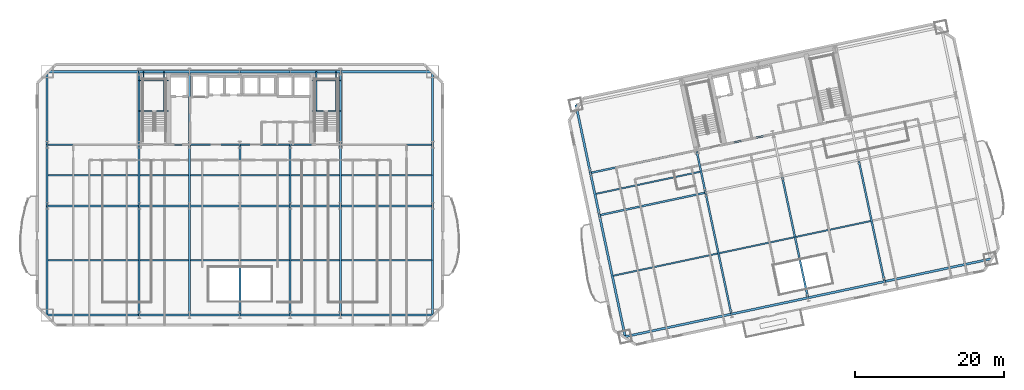
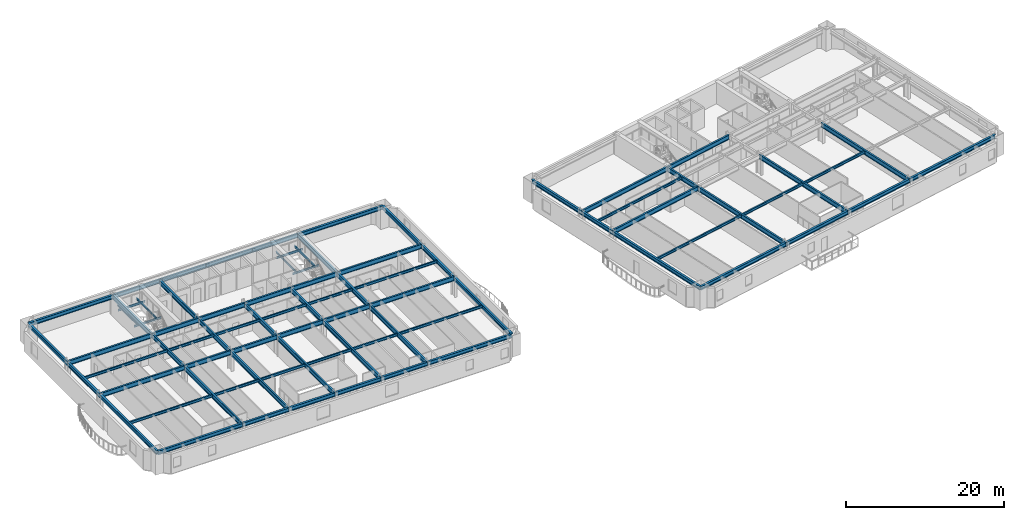
# One storey, part 3 of 17: 81 beams.
"""IFC4 building model written with IfcOpenShell, lengths in metres."""

from ifc_helpers import new_model, si_unit, direction, frame, origin, origin_2d, place, context, subcontext, project, spatial, i_section, extrude, material, material_profile, profile_set, type_object, element, save


model = new_model("IFC4")

# Units and contexts
model_context = context("Model", 3, precision=1e-05, world=origin(), true_north=direction((0.0, 1.0)))
body_context = subcontext(model_context, "Body", "Model", "MODEL_VIEW")
ifc_project = project(units=[si_unit("LENGTHUNIT", "METRE"), si_unit("AREAUNIT", "SQUARE_METRE"), si_unit("VOLUMEUNIT", "CUBIC_METRE"), si_unit("PLANEANGLEUNIT", "RADIAN"), si_unit("MASSUNIT", "GRAM", prefix="KILO")], contexts=[model_context])

# Site, building, storey
site_placement = place(None, origin())
site = spatial("IfcSite", under=ifc_project, at=site_placement, CompositionType="ELEMENT")
building_placement = place(site_placement, origin())
building = spatial("IfcBuilding", under=site, at=building_placement, Name="Haevon Station Towers", CompositionType="ELEMENT")
storey_placement = place(building_placement, frame((0.0, 0.0, 33.89990234375)))
storey = spatial("IfcBuildingStorey", under=building, at=storey_placement, Name="L07", CompositionType="ELEMENT", Elevation=33.89990234375)

# Beams
ifc_material = material(Name="Steel S355", Category="steel")
ifc_material_profile_1 = material_profile(ifc_material, i_section(OverallWidth=0.25, OverallDepth=0.699951171875, WebThickness=0.012939453125, FlangeThickness=0.02392578125, at=origin_2d()), Name="H-700x250x13x24")
ifc_profile_set_1 = profile_set([ifc_material_profile_1], Name="Steel S355")
beam_type_1 = type_object("IfcBeamType", Name="BM-G700", PredefinedType="BEAM", material=ifc_profile_set_1)
beam_1_placement = place(storey_placement, frame((11.64990234375, 30.0, 2.7001953125), z_axis=(1.0, 0.0, 0.0), x_axis=(0.0, 1.0, 0.0)))
element("IfcBeam", 1, at=beam_1_placement, inside=storey, type_object=beam_type_1, Name="BM-T1U-L07-02-01", PredefinedType="BEAM", context=body_context, shape_type="SweptSolid", body=[
    extrude(i_section(OverallWidth=0.25, OverallDepth=0.699951171875, WebThickness=0.012939453125, FlangeThickness=0.02392578125, at=origin_2d()), origin(), (0.0, 0.0, 1.0), 12.35009765625),
])
for number, where, z_axis, x_axis, name in (
    (2, (24.0, 30.0, 2.7001953125), (1.0, 0.0, 0.0), (0.0, 1.0, 0.0), "BM-T1U-L07-02-02"),
    (3, (30.75, 30.0, 2.7001953125), (1.0, 0.0, 0.0), (0.0, 1.0, 0.0), "BM-T1U-L07-02-03"),
    (4, (37.5, 30.0, 2.7001953125), (1.0, 0.0, 0.0), (0.0, 1.0, 0.0), "BM-T1U-L07-02-04"),
    (5, (44.25, 30.0, 2.7001953125), (1.0, 0.0, 0.0), (0.0, 1.0, 0.0), "BM-T1U-L07-02-05"),
):
    element("IfcBeam", number, at=place(storey_placement, frame(where, z_axis=z_axis, x_axis=x_axis)), inside=storey, type_object=beam_type_1, Name=name, PredefinedType="BEAM", context=body_context, shape_type="SweptSolid", body=[
        extrude(i_section(OverallWidth=0.25, OverallDepth=0.699951171875, WebThickness=0.012939453125, FlangeThickness=0.02392578125, at=origin_2d()), origin(), (0.0, 0.0, 1.0), 6.75),
    ])
for number, where, z_axis, x_axis, name in (
    (6, (51.0, 30.0, 2.7001953125), (1.0, 0.0, 0.0), (0.0, 1.0, 0.0), "BM-T1U-L07-02-06"),
    (7, (11.64990234375, 38.199951171875, 2.7001953125), (1.0, 0.0, 0.0), (0.0, 1.0, 0.0), "BM-T1U-L07-03-01"),
):
    element("IfcBeam", number, at=place(storey_placement, frame(where, z_axis=z_axis, x_axis=x_axis)), inside=storey, type_object=beam_type_1, Name=name, PredefinedType="BEAM", context=body_context, shape_type="SweptSolid", body=[
        extrude(i_section(OverallWidth=0.25, OverallDepth=0.699951171875, WebThickness=0.012939453125, FlangeThickness=0.02392578125, at=origin_2d()), origin(), (0.0, 0.0, 1.0), 12.35009765625),
    ])
for number, where, z_axis, x_axis, name in (
    (8, (24.0, 38.199951171875, 2.7001953125), (1.0, 0.0, 0.0), (0.0, 1.0, 0.0), "BM-T1U-L07-03-02"),
    (9, (30.75, 38.199951171875, 2.7001953125), (1.0, 0.0, 0.0), (0.0, 1.0, 0.0), "BM-T1U-L07-03-03"),
    (10, (37.5, 38.199951171875, 2.7001953125), (1.0, 0.0, 0.0), (0.0, 1.0, 0.0), "BM-T1U-L07-03-04"),
    (11, (44.25, 38.199951171875, 2.7001953125), (1.0, 0.0, 0.0), (0.0, 1.0, 0.0), "BM-T1U-L07-03-05"),
):
    element("IfcBeam", number, at=place(storey_placement, frame(where, z_axis=z_axis, x_axis=x_axis)), inside=storey, type_object=beam_type_1, Name=name, PredefinedType="BEAM", context=body_context, shape_type="SweptSolid", body=[
        extrude(i_section(OverallWidth=0.25, OverallDepth=0.699951171875, WebThickness=0.012939453125, FlangeThickness=0.02392578125, at=origin_2d()), origin(), (0.0, 0.0, 1.0), 6.75),
    ])
beam_2_placement = place(storey_placement, frame((51.0, 38.199951171875, 2.7001953125), z_axis=(1.0, 0.0, 0.0), x_axis=(0.0, 1.0, 0.0)))
element("IfcBeam", 12, at=beam_2_placement, inside=storey, type_object=beam_type_1, Name="BM-T1U-L07-03-06", PredefinedType="BEAM", context=body_context, shape_type="SweptSolid", body=[
    extrude(i_section(OverallWidth=0.25, OverallDepth=0.699951171875, WebThickness=0.012939453125, FlangeThickness=0.02392578125, at=origin_2d()), origin(), (0.0, 0.0, 1.0), 12.35009765625),
])
beam_3_placement = place(storey_placement, frame((24.0, 15.35009765625, 2.7001953125), z_axis=(0.0, 1.0, 0.0), x_axis=(-1.0, 0.0, 0.0)))
element("IfcBeam", 13, at=beam_3_placement, inside=storey, type_object=beam_type_1, Name="BM-T1V-L07-02-01", PredefinedType="BEAM", context=body_context, shape_type="SweptSolid", body=[
    extrude(i_section(OverallWidth=0.25, OverallDepth=0.699951171875, WebThickness=0.012939453125, FlangeThickness=0.02392578125, at=origin_2d()), origin(), (0.0, 0.0, 1.0), 14.64990234375),
])
beam_4_placement = place(storey_placement, frame((24.0, 30.0, 2.7001953125), z_axis=(0.0, 1.0, 0.0), x_axis=(-1.0, 0.0, 0.0)))
element("IfcBeam", 14, at=beam_4_placement, inside=storey, type_object=beam_type_1, Name="BM-T1V-L07-02-02", PredefinedType="BEAM", context=body_context, shape_type="SweptSolid", body=[
    extrude(i_section(OverallWidth=0.25, OverallDepth=0.699951171875, WebThickness=0.012939453125, FlangeThickness=0.02392578125, at=origin_2d()), origin(), (0.0, 0.0, 1.0), 8.199951171875),
])
beam_5_placement = place(storey_placement, frame((24.0, 38.199951171875, 2.7001953125), z_axis=(0.0, 1.0, 0.0), x_axis=(-1.0, 0.0, 0.0)))
element("IfcBeam", 15, at=beam_5_placement, inside=storey, type_object=beam_type_1, Name="BM-T1V-L07-02-03", PredefinedType="BEAM", context=body_context, shape_type="SweptSolid", body=[
    extrude(i_section(OverallWidth=0.25, OverallDepth=0.699951171875, WebThickness=0.012939453125, FlangeThickness=0.02392578125, at=origin_2d()), origin(), (0.0, 0.0, 1.0), 9.800048828125),
])
beam_6_placement = place(storey_placement, frame((30.75, 15.35009765625, 2.7001953125), z_axis=(0.0, 1.0, 0.0), x_axis=(-1.0, 0.0, 0.0)))
element("IfcBeam", 16, at=beam_6_placement, inside=storey, type_object=beam_type_1, Name="BM-T1V-L07-03-01", PredefinedType="BEAM", context=body_context, shape_type="SweptSolid", body=[
    extrude(i_section(OverallWidth=0.25, OverallDepth=0.699951171875, WebThickness=0.012939453125, FlangeThickness=0.02392578125, at=origin_2d()), origin(), (0.0, 0.0, 1.0), 14.64990234375),
])
beam_7_placement = place(storey_placement, frame((30.75, 30.0, 2.7001953125), z_axis=(0.0, 1.0, 0.0), x_axis=(-1.0, 0.0, 0.0)))
element("IfcBeam", 17, at=beam_7_placement, inside=storey, type_object=beam_type_1, Name="BM-T1V-L07-03-02", PredefinedType="BEAM", context=body_context, shape_type="SweptSolid", body=[
    extrude(i_section(OverallWidth=0.25, OverallDepth=0.699951171875, WebThickness=0.012939453125, FlangeThickness=0.02392578125, at=origin_2d()), origin(), (0.0, 0.0, 1.0), 8.199951171875),
])
beam_8_placement = place(storey_placement, frame((30.75, 38.199951171875, 2.7001953125), z_axis=(0.0, 1.0, 0.0), x_axis=(-1.0, 0.0, 0.0)))
element("IfcBeam", 18, at=beam_8_placement, inside=storey, type_object=beam_type_1, Name="BM-T1V-L07-03-03", PredefinedType="BEAM", context=body_context, shape_type="SweptSolid", body=[
    extrude(i_section(OverallWidth=0.25, OverallDepth=0.699951171875, WebThickness=0.012939453125, FlangeThickness=0.02392578125, at=origin_2d()), origin(), (0.0, 0.0, 1.0), 9.800048828125),
])
beam_9_placement = place(storey_placement, frame((37.5, 15.35009765625, 2.7001953125), z_axis=(0.0, 1.0, 0.0), x_axis=(-1.0, 0.0, 0.0)))
element("IfcBeam", 19, at=beam_9_placement, inside=storey, type_object=beam_type_1, Name="BM-T1V-L07-04-01", PredefinedType="BEAM", context=body_context, shape_type="SweptSolid", body=[
    extrude(i_section(OverallWidth=0.25, OverallDepth=0.699951171875, WebThickness=0.012939453125, FlangeThickness=0.02392578125, at=origin_2d()), origin(), (0.0, 0.0, 1.0), 14.64990234375),
])
beam_10_placement = place(storey_placement, frame((37.5, 30.0, 2.7001953125), z_axis=(0.0, 1.0, 0.0), x_axis=(-1.0, 0.0, 0.0)))
element("IfcBeam", 20, at=beam_10_placement, inside=storey, type_object=beam_type_1, Name="BM-T1V-L07-04-02", PredefinedType="BEAM", context=body_context, shape_type="SweptSolid", body=[
    extrude(i_section(OverallWidth=0.25, OverallDepth=0.699951171875, WebThickness=0.012939453125, FlangeThickness=0.02392578125, at=origin_2d()), origin(), (0.0, 0.0, 1.0), 8.199951171875),
])
beam_11_placement = place(storey_placement, frame((44.25, 15.35009765625, 2.7001953125), z_axis=(0.0, 1.0, 0.0), x_axis=(-1.0, 0.0, 0.0)))
element("IfcBeam", 21, at=beam_11_placement, inside=storey, type_object=beam_type_1, Name="BM-T1V-L07-05-01", PredefinedType="BEAM", context=body_context, shape_type="SweptSolid", body=[
    extrude(i_section(OverallWidth=0.25, OverallDepth=0.699951171875, WebThickness=0.012939453125, FlangeThickness=0.02392578125, at=origin_2d()), origin(), (0.0, 0.0, 1.0), 14.64990234375),
])
beam_12_placement = place(storey_placement, frame((44.25, 30.0, 2.7001953125), z_axis=(0.0, 1.0, 0.0), x_axis=(-1.0, 0.0, 0.0)))
element("IfcBeam", 22, at=beam_12_placement, inside=storey, type_object=beam_type_1, Name="BM-T1V-L07-05-02", PredefinedType="BEAM", context=body_context, shape_type="SweptSolid", body=[
    extrude(i_section(OverallWidth=0.25, OverallDepth=0.699951171875, WebThickness=0.012939453125, FlangeThickness=0.02392578125, at=origin_2d()), origin(), (0.0, 0.0, 1.0), 8.199951171875),
])
beam_13_placement = place(storey_placement, frame((51.0, 15.35009765625, 2.7001953125), z_axis=(0.0, 1.0, 0.0), x_axis=(-1.0, 0.0, 0.0)))
element("IfcBeam", 23, at=beam_13_placement, inside=storey, type_object=beam_type_1, Name="BM-T1V-L07-06-01", PredefinedType="BEAM", context=body_context, shape_type="SweptSolid", body=[
    extrude(i_section(OverallWidth=0.25, OverallDepth=0.699951171875, WebThickness=0.012939453125, FlangeThickness=0.02392578125, at=origin_2d()), origin(), (0.0, 0.0, 1.0), 14.64990234375),
])
beam_14_placement = place(storey_placement, frame((51.0, 30.0, 2.7001953125), z_axis=(0.0, 1.0, 0.0), x_axis=(-1.0, 0.0, 0.0)))
element("IfcBeam", 24, at=beam_14_placement, inside=storey, type_object=beam_type_1, Name="BM-T1V-L07-06-02", PredefinedType="BEAM", context=body_context, shape_type="SweptSolid", body=[
    extrude(i_section(OverallWidth=0.25, OverallDepth=0.699951171875, WebThickness=0.012939453125, FlangeThickness=0.02392578125, at=origin_2d()), origin(), (0.0, 0.0, 1.0), 8.199951171875),
])
beam_15_placement = place(storey_placement, frame((51.0, 38.199951171875, 2.7001953125), z_axis=(0.0, 1.0, 0.0), x_axis=(-1.0, 0.0, 0.0)))
element("IfcBeam", 25, at=beam_15_placement, inside=storey, type_object=beam_type_1, Name="BM-T1V-L07-06-03", PredefinedType="BEAM", context=body_context, shape_type="SweptSolid", body=[
    extrude(i_section(OverallWidth=0.25, OverallDepth=0.699951171875, WebThickness=0.012939453125, FlangeThickness=0.02392578125, at=origin_2d()), origin(), (0.0, 0.0, 1.0), 9.800048828125),
])
for number, where, z_axis, x_axis, name in (
    (26, (85.72607421875, 28.744140625, 2.7001953125), (0.978150960994, 0.207895881409, 0.0), (-0.207895881409, 0.978150960994, 0.0), "BM-T2U-L07-02-01"),
    (27, (84.520263671875, 34.417236328125, 2.7001953125), (0.978147548738, 0.207911935439, 0.0), (-0.207911935439, 0.978147548738, 0.0), "BM-T2U-L07-03-01"),
):
    element("IfcBeam", number, at=place(storey_placement, frame(where, z_axis=z_axis, x_axis=x_axis)), inside=storey, type_object=beam_type_1, Name=name, PredefinedType="BEAM", context=body_context, shape_type="SweptSolid", body=[
        extrude(i_section(OverallWidth=0.25, OverallDepth=0.699951171875, WebThickness=0.012939453125, FlangeThickness=0.02392578125, at=origin_2d()), origin(), (0.0, 0.0, 1.0), 14.550048828125),
    ])
beam_16_placement = place(storey_placement, frame((98.75244140625, 37.4423828125, 2.7001953125), z_axis=(0.978146794194, 0.207915485254, 0.0), x_axis=(-0.207915485254, 0.978146794194, 0.0)))
element("IfcBeam", 28, at=beam_16_placement, inside=storey, type_object=beam_type_1, Name="BM-T2U-L07-03-02", PredefinedType="BEAM", context=body_context, shape_type="SweptSolid", body=[
    extrude(i_section(OverallWidth=0.25, OverallDepth=0.699951171875, WebThickness=0.012939453125, FlangeThickness=0.02392578125, at=origin_2d()), origin(), (0.0, 0.0, 1.0), 10.5),
])
beam_17_placement = place(storey_placement, frame((103.419921875, 15.48291015625, 2.7001953125), z_axis=(-0.20790856066, 0.978148266064, 0.0), x_axis=(-0.978148266064, -0.20790856066, 0.0)))
element("IfcBeam", 29, at=beam_17_placement, inside=storey, type_object=beam_type_1, Name="BM-T2V-L07-02-01", PredefinedType="BEAM", context=body_context, shape_type="SweptSolid", body=[
    extrude(i_section(OverallWidth=0.25, OverallDepth=0.699951171875, WebThickness=0.012939453125, FlangeThickness=0.02392578125, at=origin_2d()), origin(), (0.0, 0.0, 1.0), 16.64990234375),
])
beam_18_placement = place(storey_placement, frame((99.958251953125, 31.76904296875, 2.7001953125), z_axis=(-0.207896009217, 0.97815093383, 0.0), x_axis=(-0.97815093383, -0.207896009217, 0.0)))
element("IfcBeam", 30, at=beam_18_placement, inside=storey, type_object=beam_type_1, Name="BM-T2V-L07-02-02", PredefinedType="BEAM", context=body_context, shape_type="SweptSolid", body=[
    extrude(i_section(OverallWidth=0.25, OverallDepth=0.699951171875, WebThickness=0.012939453125, FlangeThickness=0.02392578125, at=origin_2d()), origin(), (0.0, 0.0, 1.0), 5.800048828125),
])
for number, where, z_axis, x_axis, name in (
    (31, (113.6904296875, 17.666015625, 2.7001953125), (-0.20790856066, 0.978148266064, 0.0), (-0.978148266064, -0.20790856066, 0.0), "BM-T2V-L07-03-01"),
    (32, (123.961181640625, 19.84912109375, 2.7001953125), (-0.207922589901, 0.978145283999, 0.0), (-0.978145283999, -0.207922589901, 0.0), "BM-T2V-L07-04-01"),
):
    element("IfcBeam", number, at=place(storey_placement, frame(where, z_axis=z_axis, x_axis=x_axis)), inside=storey, type_object=beam_type_1, Name=name, PredefinedType="BEAM", context=body_context, shape_type="SweptSolid", body=[
        extrude(i_section(OverallWidth=0.25, OverallDepth=0.699951171875, WebThickness=0.012939453125, FlangeThickness=0.02392578125, at=origin_2d()), origin(), (0.0, 0.0, 1.0), 16.64990234375),
    ])
ifc_material_profile_2 = material_profile(ifc_material, i_section(OverallWidth=0.199951171875, OverallDepth=0.39990234375, WebThickness=0.008056640625, FlangeThickness=0.012939453125, at=origin_2d()), Name="H-400x200x8x13")
ifc_profile_set_2 = profile_set([ifc_material_profile_2], Name="Steel S355")
beam_type_2 = type_object("IfcBeamType", Name="BM-J400", PredefinedType="JOIST", material=ifc_profile_set_2)
beam_19_placement = place(storey_placement, frame((11.760009765625, 22.675048828125, 2.85009765625), z_axis=(1.0, 0.0, 0.0), x_axis=(0.0, 1.0, 0.0)))
element("IfcBeam", 33, at=beam_19_placement, inside=storey, type_object=beam_type_2, Name="BM-T1J-L07-01-01", PredefinedType="JOIST", context=body_context, shape_type="SweptSolid", body=[
    extrude(i_section(OverallWidth=0.199951171875, OverallDepth=0.39990234375, WebThickness=0.008056640625, FlangeThickness=0.012939453125, at=origin_2d()), origin(), (0.0, 0.0, 1.0), 12.1298828125),
])
for number, where, z_axis, x_axis, name in (
    (34, (24.110107421875, 22.675048828125, 2.85009765625), (1.0, 0.0, 0.0), (0.0, 1.0, 0.0), "BM-T1J-L07-01-02"),
    (35, (30.860107421875, 22.675048828125, 2.85009765625), (1.0, 0.0, 0.0), (0.0, 1.0, 0.0), "BM-T1J-L07-01-03"),
    (36, (37.610107421875, 22.675048828125, 2.85009765625), (1.0, 0.0, 0.0), (0.0, 1.0, 0.0), "BM-T1J-L07-01-04"),
    (37, (44.360107421875, 22.675048828125, 2.85009765625), (1.0, 0.0, 0.0), (0.0, 1.0, 0.0), "BM-T1J-L07-01-05"),
):
    element("IfcBeam", number, at=place(storey_placement, frame(where, z_axis=z_axis, x_axis=x_axis)), inside=storey, type_object=beam_type_2, Name=name, PredefinedType="JOIST", context=body_context, shape_type="SweptSolid", body=[
        extrude(i_section(OverallWidth=0.199951171875, OverallDepth=0.39990234375, WebThickness=0.008056640625, FlangeThickness=0.012939453125, at=origin_2d()), origin(), (0.0, 0.0, 1.0), 6.52978515625),
    ])
for number, where, z_axis, x_axis, name in (
    (38, (51.110107421875, 22.675048828125, 2.85009765625), (1.0, 0.0, 0.0), (0.0, 1.0, 0.0), "BM-T1J-L07-01-06"),
    (39, (11.760009765625, 34.10009765625, 2.85009765625), (1.0, 0.0, 0.0), (0.0, 1.0, 0.0), "BM-T1J-L07-02-01"),
):
    element("IfcBeam", number, at=place(storey_placement, frame(where, z_axis=z_axis, x_axis=x_axis)), inside=storey, type_object=beam_type_2, Name=name, PredefinedType="JOIST", context=body_context, shape_type="SweptSolid", body=[
        extrude(i_section(OverallWidth=0.199951171875, OverallDepth=0.39990234375, WebThickness=0.008056640625, FlangeThickness=0.012939453125, at=origin_2d()), origin(), (0.0, 0.0, 1.0), 12.1298828125),
    ])
for number, where, z_axis, x_axis, name in (
    (40, (24.110107421875, 34.10009765625, 2.85009765625), (1.0, 0.0, 0.0), (0.0, 1.0, 0.0), "BM-T1J-L07-02-02"),
    (41, (30.860107421875, 34.10009765625, 2.85009765625), (1.0, 0.0, 0.0), (0.0, 1.0, 0.0), "BM-T1J-L07-02-03"),
    (42, (37.610107421875, 34.10009765625, 2.85009765625), (1.0, 0.0, 0.0), (0.0, 1.0, 0.0), "BM-T1J-L07-02-04"),
    (43, (44.360107421875, 34.10009765625, 2.85009765625), (1.0, 0.0, 0.0), (0.0, 1.0, 0.0), "BM-T1J-L07-02-05"),
):
    element("IfcBeam", number, at=place(storey_placement, frame(where, z_axis=z_axis, x_axis=x_axis)), inside=storey, type_object=beam_type_2, Name=name, PredefinedType="JOIST", context=body_context, shape_type="SweptSolid", body=[
        extrude(i_section(OverallWidth=0.199951171875, OverallDepth=0.39990234375, WebThickness=0.008056640625, FlangeThickness=0.012939453125, at=origin_2d()), origin(), (0.0, 0.0, 1.0), 6.52978515625),
    ])
beam_20_placement = place(storey_placement, frame((51.110107421875, 34.10009765625, 2.85009765625), z_axis=(1.0, 0.0, 0.0), x_axis=(0.0, 1.0, 0.0)))
element("IfcBeam", 44, at=beam_20_placement, inside=storey, type_object=beam_type_2, Name="BM-T1J-L07-02-06", PredefinedType="JOIST", context=body_context, shape_type="SweptSolid", body=[
    extrude(i_section(OverallWidth=0.199951171875, OverallDepth=0.39990234375, WebThickness=0.008056640625, FlangeThickness=0.012939453125, at=origin_2d()), origin(), (0.0, 0.0, 1.0), 12.1298828125),
])
beam_21_placement = place(storey_placement, frame((87.564697265625, 20.623779296875, 2.85009765625), z_axis=(0.978145902522, 0.207919680114, 0.0), x_axis=(-0.207919680114, 0.978145902522, 0.0)))
element("IfcBeam", 45, at=beam_21_placement, inside=storey, type_object=beam_type_2, Name="BM-T2J-L07-01-01", PredefinedType="JOIST", context=body_context, shape_type="SweptSolid", body=[
    extrude(i_section(OverallWidth=0.199951171875, OverallDepth=0.39990234375, WebThickness=0.008056640625, FlangeThickness=0.012939453125, at=origin_2d()), origin(), (0.0, 0.0, 1.0), 14.330078125),
])
for number, where, z_axis, x_axis, name in (
    (46, (101.796630859375, 23.64892578125, 2.85009765625), (0.978145509903, 0.207921527161, 0.0), (-0.207921527161, 0.978145509903, 0.0), "BM-T2J-L07-01-02"),
    (47, (112.067138671875, 25.83203125, 2.85009765625), (0.978150339653, 0.207898804801, 0.0), (-0.207898804801, 0.978150339653, 0.0), "BM-T2J-L07-01-03"),
):
    element("IfcBeam", number, at=place(storey_placement, frame(where, z_axis=z_axis, x_axis=x_axis)), inside=storey, type_object=beam_type_2, Name=name, PredefinedType="JOIST", context=body_context, shape_type="SweptSolid", body=[
        extrude(i_section(OverallWidth=0.199951171875, OverallDepth=0.39990234375, WebThickness=0.008056640625, FlangeThickness=0.012939453125, at=origin_2d()), origin(), (0.0, 0.0, 1.0), 10.280029296875),
    ])
beam_22_placement = place(storey_placement, frame((85.23095703125, 31.603515625, 2.85009765625), z_axis=(0.978145902522, 0.207919680114, 0.0), x_axis=(-0.207919680114, 0.978145902522, 0.0)))
element("IfcBeam", 48, at=beam_22_placement, inside=storey, type_object=beam_type_2, Name="BM-T2J-L07-02-01", PredefinedType="JOIST", context=body_context, shape_type="SweptSolid", body=[
    extrude(i_section(OverallWidth=0.199951171875, OverallDepth=0.39990234375, WebThickness=0.008056640625, FlangeThickness=0.012939453125, at=origin_2d()), origin(), (0.0, 0.0, 1.0), 14.330078125),
])
ifc_material_profile_3 = material_profile(ifc_material, i_section(OverallWidth=0.14990234375, OverallDepth=0.300048828125, WebThickness=0.006591796875, FlangeThickness=0.009033203125, at=origin_2d()), Name="H-300x150x6.5x9")
ifc_profile_set_3 = profile_set([ifc_material_profile_3], Name="Steel S355")
beam_type_3 = type_object("IfcBeamType", Name="BM-LIN300", PredefinedType="LINTEL", material=ifc_profile_set_3)
for number, where, z_axis, x_axis, name in (
    (49, (24.0, 42.743896484375, 1.300048828125), (1.0, 0.0, 0.0), (0.0, 1.0, 0.0), "BM-ST1L-L07-1-S"),
    (50, (24.0, 46.820068359375, 1.300048828125), (1.0, 0.0, 0.0), (0.0, 1.0, 0.0), "BM-ST1L-L07-1-N"),
):
    element("IfcBeam", number, at=place(storey_placement, frame(where, z_axis=z_axis, x_axis=x_axis)), inside=storey, type_object=beam_type_3, Name=name, PredefinedType="LINTEL", context=body_context, shape_type="SweptSolid", body=[
        extrude(i_section(OverallWidth=0.14990234375, OverallDepth=0.300048828125, WebThickness=0.006591796875, FlangeThickness=0.009033203125, at=origin_2d()), origin(), (0.0, 0.0, 1.0), 3.949951171875),
    ])
for number, where, z_axis, x_axis, name in (
    (51, (24.60009765625, 42.743896484375, 1.300048828125), (0.0, 1.0, 0.0), (-1.0, 0.0, 0.0), "BM-ST1L-L07-1-W"),
    (52, (27.35009765625, 42.743896484375, 1.300048828125), (0.0, 1.0, 0.0), (-1.0, 0.0, 0.0), "BM-ST1L-L07-1-E"),
):
    element("IfcBeam", number, at=place(storey_placement, frame(where, z_axis=z_axis, x_axis=x_axis)), inside=storey, type_object=beam_type_3, Name=name, PredefinedType="LINTEL", context=body_context, shape_type="SweptSolid", body=[
        extrude(i_section(OverallWidth=0.14990234375, OverallDepth=0.300048828125, WebThickness=0.006591796875, FlangeThickness=0.009033203125, at=origin_2d()), origin(), (0.0, 0.0, 1.0), 5.256103515625),
    ])
for number, where, z_axis, x_axis, name in (
    (53, (47.14990234375, 42.743896484375, 1.300048828125), (1.0, 0.0, 0.0), (0.0, 1.0, 0.0), "BM-ST2L-L07-1-S"),
    (54, (47.14990234375, 46.820068359375, 1.300048828125), (1.0, 0.0, 0.0), (0.0, 1.0, 0.0), "BM-ST2L-L07-1-N"),
):
    element("IfcBeam", number, at=place(storey_placement, frame(where, z_axis=z_axis, x_axis=x_axis)), inside=storey, type_object=beam_type_3, Name=name, PredefinedType="LINTEL", context=body_context, shape_type="SweptSolid", body=[
        extrude(i_section(OverallWidth=0.14990234375, OverallDepth=0.300048828125, WebThickness=0.006591796875, FlangeThickness=0.009033203125, at=origin_2d()), origin(), (0.0, 0.0, 1.0), 3.85009765625),
    ])
for number, where, z_axis, x_axis, name in (
    (55, (47.75, 42.743896484375, 1.300048828125), (0.0, 1.0, 0.0), (-1.0, 0.0, 0.0), "BM-ST2L-L07-1-W"),
    (56, (50.39990234375, 42.743896484375, 1.300048828125), (0.0, 1.0, 0.0), (-1.0, 0.0, 0.0), "BM-ST2L-L07-1-E"),
):
    element("IfcBeam", number, at=place(storey_placement, frame(where, z_axis=z_axis, x_axis=x_axis)), inside=storey, type_object=beam_type_3, Name=name, PredefinedType="LINTEL", context=body_context, shape_type="SweptSolid", body=[
        extrude(i_section(OverallWidth=0.14990234375, OverallDepth=0.300048828125, WebThickness=0.006591796875, FlangeThickness=0.009033203125, at=origin_2d()), origin(), (0.0, 0.0, 1.0), 5.256103515625),
    ])
ifc_material_profile_4 = material_profile(ifc_material, i_section(OverallWidth=0.300048828125, OverallDepth=0.587890625, WebThickness=0.011962890625, FlangeThickness=0.02001953125, at=origin_2d()), Name="H-588x300x12x20")
ifc_profile_set_4 = profile_set([ifc_material_profile_4], Name="Steel S355")
beam_type_4 = type_object("IfcBeamType", Name="BM-SP588", PredefinedType="SPANDREL", material=ifc_profile_set_4)
beam_23_placement = place(storey_placement, frame((11.64990234375, 15.35009765625, 2.756103515625), z_axis=(1.0, 0.0, 0.0), x_axis=(0.0, 1.0, 0.0)))
element("IfcBeam", 57, at=beam_23_placement, inside=storey, type_object=beam_type_4, Name="BM-T1U-L07-01-01", PredefinedType="SPANDREL", context=body_context, shape_type="SweptSolid", body=[
    extrude(i_section(OverallWidth=0.300048828125, OverallDepth=0.587890625, WebThickness=0.011962890625, FlangeThickness=0.02001953125, at=origin_2d()), origin(), (0.0, 0.0, 1.0), 12.35009765625),
])
for number, where, z_axis, x_axis, name in (
    (58, (24.0, 15.35009765625, 2.756103515625), (1.0, 0.0, 0.0), (0.0, 1.0, 0.0), "BM-T1U-L07-01-02"),
    (59, (30.75, 15.35009765625, 2.756103515625), (1.0, 0.0, 0.0), (0.0, 1.0, 0.0), "BM-T1U-L07-01-03"),
    (60, (37.5, 15.35009765625, 2.756103515625), (1.0, 0.0, 0.0), (0.0, 1.0, 0.0), "BM-T1U-L07-01-04"),
    (61, (44.25, 15.35009765625, 2.756103515625), (1.0, 0.0, 0.0), (0.0, 1.0, 0.0), "BM-T1U-L07-01-05"),
):
    element("IfcBeam", number, at=place(storey_placement, frame(where, z_axis=z_axis, x_axis=x_axis)), inside=storey, type_object=beam_type_4, Name=name, PredefinedType="SPANDREL", context=body_context, shape_type="SweptSolid", body=[
        extrude(i_section(OverallWidth=0.300048828125, OverallDepth=0.587890625, WebThickness=0.011962890625, FlangeThickness=0.02001953125, at=origin_2d()), origin(), (0.0, 0.0, 1.0), 6.75),
    ])
for number, where, z_axis, x_axis, name in (
    (62, (51.0, 15.35009765625, 2.756103515625), (1.0, 0.0, 0.0), (0.0, 1.0, 0.0), "BM-T1U-L07-01-06"),
    (63, (11.64990234375, 48.0, 2.756103515625), (1.0, 0.0, 0.0), (0.0, 1.0, 0.0), "BM-T1U-L07-04-01"),
):
    element("IfcBeam", number, at=place(storey_placement, frame(where, z_axis=z_axis, x_axis=x_axis)), inside=storey, type_object=beam_type_4, Name=name, PredefinedType="SPANDREL", context=body_context, shape_type="SweptSolid", body=[
        extrude(i_section(OverallWidth=0.300048828125, OverallDepth=0.587890625, WebThickness=0.011962890625, FlangeThickness=0.02001953125, at=origin_2d()), origin(), (0.0, 0.0, 1.0), 12.35009765625),
    ])
for number, where, z_axis, x_axis, name in (
    (64, (24.0, 48.0, 2.756103515625), (1.0, 0.0, 0.0), (0.0, 1.0, 0.0), "BM-T1U-L07-04-02"),
    (65, (30.75, 48.0, 2.756103515625), (1.0, 0.0, 0.0), (0.0, 1.0, 0.0), "BM-T1U-L07-04-03"),
    (66, (37.5, 48.0, 2.756103515625), (1.0, 0.0, 0.0), (0.0, 1.0, 0.0), "BM-T1U-L07-04-04"),
    (67, (44.25, 48.0, 2.756103515625), (1.0, 0.0, 0.0), (0.0, 1.0, 0.0), "BM-T1U-L07-04-05"),
):
    element("IfcBeam", number, at=place(storey_placement, frame(where, z_axis=z_axis, x_axis=x_axis)), inside=storey, type_object=beam_type_4, Name=name, PredefinedType="SPANDREL", context=body_context, shape_type="SweptSolid", body=[
        extrude(i_section(OverallWidth=0.300048828125, OverallDepth=0.587890625, WebThickness=0.011962890625, FlangeThickness=0.02001953125, at=origin_2d()), origin(), (0.0, 0.0, 1.0), 6.75),
    ])
beam_24_placement = place(storey_placement, frame((51.0, 48.0, 2.756103515625), z_axis=(1.0, 0.0, 0.0), x_axis=(0.0, 1.0, 0.0)))
element("IfcBeam", 68, at=beam_24_placement, inside=storey, type_object=beam_type_4, Name="BM-T1U-L07-04-06", PredefinedType="SPANDREL", context=body_context, shape_type="SweptSolid", body=[
    extrude(i_section(OverallWidth=0.300048828125, OverallDepth=0.587890625, WebThickness=0.011962890625, FlangeThickness=0.02001953125, at=origin_2d()), origin(), (0.0, 0.0, 1.0), 12.35009765625),
])
beam_25_placement = place(storey_placement, frame((11.64990234375, 15.35009765625, 2.756103515625), z_axis=(0.0, 1.0, 0.0), x_axis=(-1.0, 0.0, 0.0)))
element("IfcBeam", 69, at=beam_25_placement, inside=storey, type_object=beam_type_4, Name="BM-T1V-L07-01-01", PredefinedType="SPANDREL", context=body_context, shape_type="SweptSolid", body=[
    extrude(i_section(OverallWidth=0.300048828125, OverallDepth=0.587890625, WebThickness=0.011962890625, FlangeThickness=0.02001953125, at=origin_2d()), origin(), (0.0, 0.0, 1.0), 14.64990234375),
])
beam_26_placement = place(storey_placement, frame((11.64990234375, 30.0, 2.756103515625), z_axis=(0.0, 1.0, 0.0), x_axis=(-1.0, 0.0, 0.0)))
element("IfcBeam", 70, at=beam_26_placement, inside=storey, type_object=beam_type_4, Name="BM-T1V-L07-01-02", PredefinedType="SPANDREL", context=body_context, shape_type="SweptSolid", body=[
    extrude(i_section(OverallWidth=0.300048828125, OverallDepth=0.587890625, WebThickness=0.011962890625, FlangeThickness=0.02001953125, at=origin_2d()), origin(), (0.0, 0.0, 1.0), 8.199951171875),
])
beam_27_placement = place(storey_placement, frame((11.64990234375, 38.199951171875, 2.756103515625), z_axis=(0.0, 1.0, 0.0), x_axis=(-1.0, 0.0, 0.0)))
element("IfcBeam", 71, at=beam_27_placement, inside=storey, type_object=beam_type_4, Name="BM-T1V-L07-01-03", PredefinedType="SPANDREL", context=body_context, shape_type="SweptSolid", body=[
    extrude(i_section(OverallWidth=0.300048828125, OverallDepth=0.587890625, WebThickness=0.011962890625, FlangeThickness=0.02001953125, at=origin_2d()), origin(), (0.0, 0.0, 1.0), 9.800048828125),
])
beam_28_placement = place(storey_placement, frame((63.35009765625, 15.35009765625, 2.756103515625), z_axis=(0.0, 1.0, 0.0), x_axis=(-1.0, 0.0, 0.0)))
element("IfcBeam", 72, at=beam_28_placement, inside=storey, type_object=beam_type_4, Name="BM-T1V-L07-07-01", PredefinedType="SPANDREL", context=body_context, shape_type="SweptSolid", body=[
    extrude(i_section(OverallWidth=0.300048828125, OverallDepth=0.587890625, WebThickness=0.011962890625, FlangeThickness=0.02001953125, at=origin_2d()), origin(), (0.0, 0.0, 1.0), 14.64990234375),
])
beam_29_placement = place(storey_placement, frame((63.35009765625, 30.0, 2.756103515625), z_axis=(0.0, 1.0, 0.0), x_axis=(-1.0, 0.0, 0.0)))
element("IfcBeam", 73, at=beam_29_placement, inside=storey, type_object=beam_type_4, Name="BM-T1V-L07-07-02", PredefinedType="SPANDREL", context=body_context, shape_type="SweptSolid", body=[
    extrude(i_section(OverallWidth=0.300048828125, OverallDepth=0.587890625, WebThickness=0.011962890625, FlangeThickness=0.02001953125, at=origin_2d()), origin(), (0.0, 0.0, 1.0), 8.199951171875),
])
beam_30_placement = place(storey_placement, frame((63.35009765625, 38.199951171875, 2.756103515625), z_axis=(0.0, 1.0, 0.0), x_axis=(-1.0, 0.0, 0.0)))
element("IfcBeam", 74, at=beam_30_placement, inside=storey, type_object=beam_type_4, Name="BM-T1V-L07-07-03", PredefinedType="SPANDREL", context=body_context, shape_type="SweptSolid", body=[
    extrude(i_section(OverallWidth=0.300048828125, OverallDepth=0.587890625, WebThickness=0.011962890625, FlangeThickness=0.02001953125, at=origin_2d()), origin(), (0.0, 0.0, 1.0), 9.800048828125),
])
beam_31_placement = place(storey_placement, frame((89.18798828125, 12.457763671875, 2.756103515625), z_axis=(0.978146823396, 0.207915347869, 0.0), x_axis=(-0.207915347869, 0.978146823396, 0.0)))
element("IfcBeam", 75, at=beam_31_placement, inside=storey, type_object=beam_type_4, Name="BM-T2U-L07-01-01", PredefinedType="SPANDREL", context=body_context, shape_type="SweptSolid", body=[
    extrude(i_section(OverallWidth=0.300048828125, OverallDepth=0.587890625, WebThickness=0.011962890625, FlangeThickness=0.02001953125, at=origin_2d()), origin(), (0.0, 0.0, 1.0), 14.5498046875),
])
beam_32_placement = place(storey_placement, frame((103.419921875, 15.48291015625, 2.756103515625), z_axis=(0.978146794194, 0.207915485254, 0.0), x_axis=(-0.207915485254, 0.978146794194, 0.0)))
element("IfcBeam", 76, at=beam_32_placement, inside=storey, type_object=beam_type_4, Name="BM-T2U-L07-01-02", PredefinedType="SPANDREL", context=body_context, shape_type="SweptSolid", body=[
    extrude(i_section(OverallWidth=0.300048828125, OverallDepth=0.587890625, WebThickness=0.011962890625, FlangeThickness=0.02001953125, at=origin_2d()), origin(), (0.0, 0.0, 1.0), 10.5),
])
beam_33_placement = place(storey_placement, frame((113.6904296875, 17.666015625, 2.756103515625), z_axis=(0.978147799298, 0.207910756646, 0.0), x_axis=(-0.207910756646, 0.978147799298, 0.0)))
element("IfcBeam", 77, at=beam_33_placement, inside=storey, type_object=beam_type_4, Name="BM-T2U-L07-01-03", PredefinedType="SPANDREL", context=body_context, shape_type="SweptSolid", body=[
    extrude(i_section(OverallWidth=0.300048828125, OverallDepth=0.587890625, WebThickness=0.011962890625, FlangeThickness=0.02001953125, at=origin_2d()), origin(), (0.0, 0.0, 1.0), 10.500244140625),
])
beam_34_placement = place(storey_placement, frame((123.961181640625, 19.84912109375, 2.756103515625), z_axis=(0.978146823396, 0.207915347869, 0.0), x_axis=(-0.207915347869, 0.978146823396, 0.0)))
element("IfcBeam", 78, at=beam_34_placement, inside=storey, type_object=beam_type_4, Name="BM-T2U-L07-01-04", PredefinedType="SPANDREL", context=body_context, shape_type="SweptSolid", body=[
    extrude(i_section(OverallWidth=0.300048828125, OverallDepth=0.587890625, WebThickness=0.011962890625, FlangeThickness=0.02001953125, at=origin_2d()), origin(), (0.0, 0.0, 1.0), 14.5498046875),
])
beam_35_placement = place(storey_placement, frame((89.18798828125, 12.457763671875, 2.756103515625), z_axis=(-0.207919607786, 0.978145917897, 0.0), x_axis=(-0.978145917897, -0.207919607786, 0.0)))
element("IfcBeam", 79, at=beam_35_placement, inside=storey, type_object=beam_type_4, Name="BM-T2V-L07-01-01", PredefinedType="SPANDREL", context=body_context, shape_type="SweptSolid", body=[
    extrude(i_section(OverallWidth=0.300048828125, OverallDepth=0.587890625, WebThickness=0.011962890625, FlangeThickness=0.02001953125, at=origin_2d()), origin(), (0.0, 0.0, 1.0), 16.650146484375),
])
beam_36_placement = place(storey_placement, frame((85.72607421875, 28.744140625, 2.756103515625), z_axis=(-0.207904569273, 0.978149114438, 0.0), x_axis=(-0.978149114438, -0.207904569273, 0.0)))
element("IfcBeam", 80, at=beam_36_placement, inside=storey, type_object=beam_type_4, Name="BM-T2V-L07-01-02", PredefinedType="SPANDREL", context=body_context, shape_type="SweptSolid", body=[
    extrude(i_section(OverallWidth=0.300048828125, OverallDepth=0.587890625, WebThickness=0.011962890625, FlangeThickness=0.02001953125, at=origin_2d()), origin(), (0.0, 0.0, 1.0), 5.7998046875),
])
beam_37_placement = place(storey_placement, frame((84.520263671875, 34.417236328125, 2.756103515625), z_axis=(-0.207897167074, 0.978150687738, 0.0), x_axis=(-0.978150687738, -0.207897167074, 0.0)))
element("IfcBeam", 81, at=beam_37_placement, inside=storey, type_object=beam_type_4, Name="BM-T2V-L07-01-03", PredefinedType="SPANDREL", context=body_context, shape_type="SweptSolid", body=[
    extrude(i_section(OverallWidth=0.300048828125, OverallDepth=0.587890625, WebThickness=0.011962890625, FlangeThickness=0.02001953125, at=origin_2d()), origin(), (0.0, 0.0, 1.0), 9.35009765625),
])

save(model, "model.ifc")
